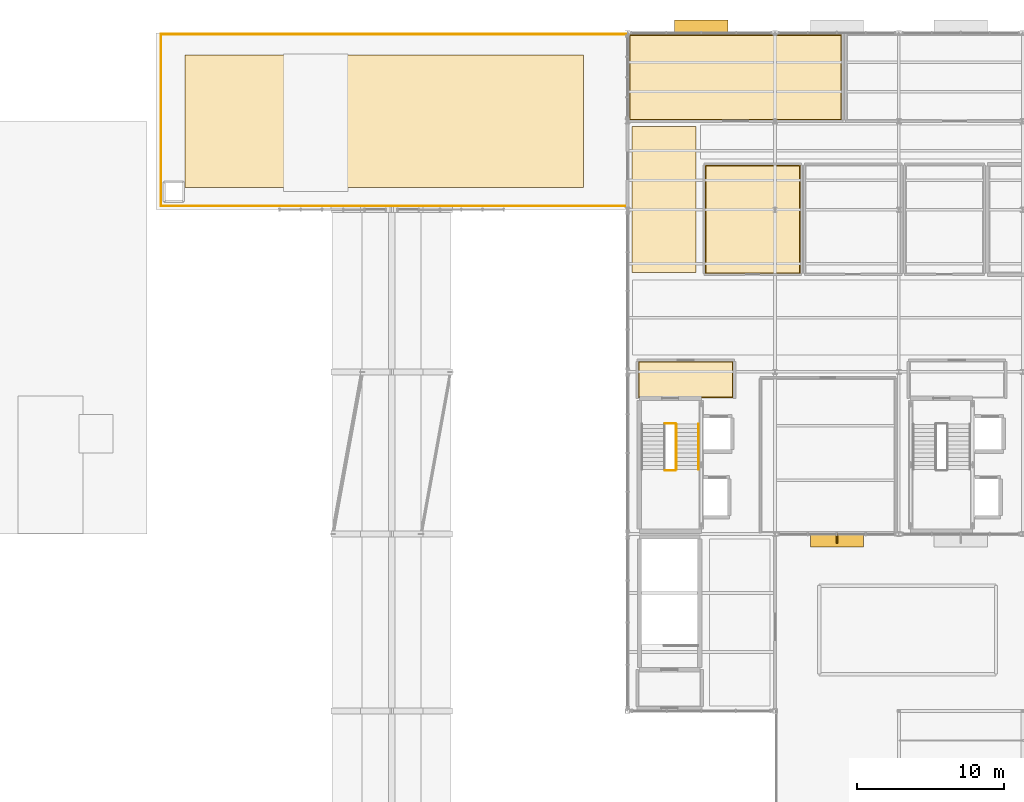
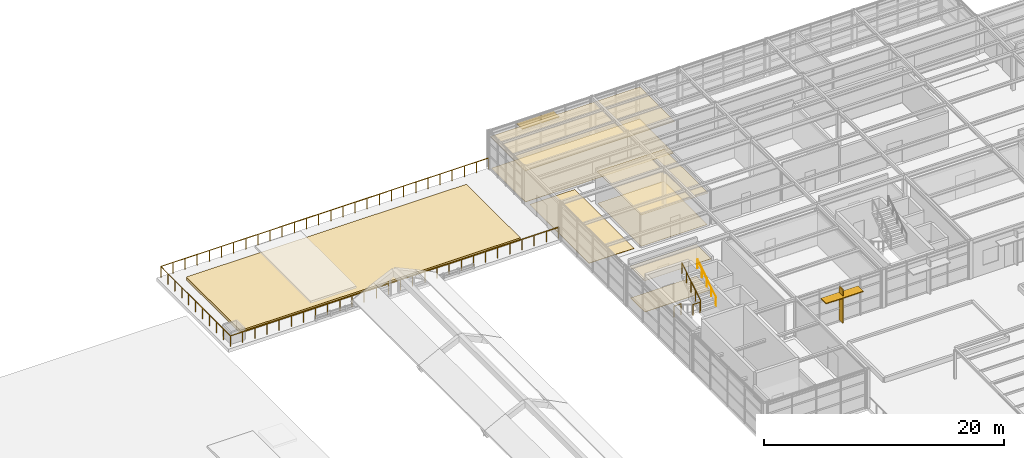
# One storey, part 47 of 49: 8 coverings, 7 railings, 3 shading devices.
"""IFC4 building model written with IfcOpenShell, lengths in metres."""

import ifcopenshell
import ifcopenshell.guid

model = None  # the IFC model being written
_history = None  # IfcOwnerHistory: only IFC2X3 demands one
_inside = {}  # id of a spatial element -> (the spatial element, [elements in it])
_under = {}  # id of a project, library or spatial element -> (it, [spatial elements below it])
_declared = {}  # id of a project -> (the project, [libraries it declares])
_typed = {}  # id of a type object -> (the type object, [elements of that type])
_made_of = {}  # id of a material, layer set ... -> (it, [elements and type objects made of it])


def new_model(schema):
    """Start an empty IFC model of exactly this schema.

    Asked for "IFC4X3", IfcOpenShell would pick the latest addendum, in which some entities
    have other attributes; the version numbers below select the first issue.
    IFC2X3 requires an IfcOwnerHistory on every rooted entity: one is made here for all.
    """
    global model, _history
    if schema == "IFC4X3":
        model = ifcopenshell.file(schema_version=(4, 3, 0, 0))
    else:
        model = ifcopenshell.file(schema=schema)
    _inside.clear()
    _under.clear()
    _declared.clear()
    _typed.clear()
    _made_of.clear()
    _history = None
    if model.schema == "IFC2X3":
        org = make("IfcOrganization", Name="unknown")
        user = make(
            "IfcPersonAndOrganization",
            ThePerson=make("IfcPerson", FamilyName="unknown"),
            TheOrganization=org,
        )
        app = make(
            "IfcApplication",
            ApplicationDeveloper=org,
            Version="unknown",
            ApplicationFullName="unknown",
            ApplicationIdentifier="unknown",
        )
        _history = make(
            "IfcOwnerHistory",
            OwningUser=user,
            OwningApplication=app,
            ChangeAction="ADDED",
            CreationDate=0,
        )
    return model


def make(cls, **values):
    """One entity of the class cls with the attributes given. An attribute that is None is left unset."""
    return model.create_entity(
        cls, **{name: value for name, value in values.items() if value is not None}
    )


def rooted(cls, **values):
    """An entity with a GlobalId (a new one), such as an element, a storey or a relation."""
    return make(cls, GlobalId=ifcopenshell.guid.new(), OwnerHistory=_history, **values)


def si_unit(unit_type, name, prefix=None):
    """IfcSIUnit, for example si_unit("LENGTHUNIT", "METRE", prefix="MILLI")."""
    return make("IfcSIUnit", UnitType=unit_type, Prefix=prefix, Name=name)


def assignment(units):
    """IfcUnitAssignment: the units of a project."""
    return None if units is None else make("IfcUnitAssignment", Units=units)


def point(xyz):
    """IfcCartesianPoint."""
    return None if xyz is None else make("IfcCartesianPoint", Coordinates=xyz)


def direction(xyz):
    """IfcDirection."""
    return None if xyz is None else make("IfcDirection", DirectionRatios=xyz)


def frame(location, z_axis=None, x_axis=None):
    """IfcAxis2Placement3D, a coordinate frame: its origin and axes. An axis left out is left unset."""
    return make(
        "IfcAxis2Placement3D",
        Location=point(location),
        Axis=direction(z_axis),
        RefDirection=direction(x_axis),
    )


def frame_2d(location, x_axis=None):
    """IfcAxis2Placement2D, a coordinate frame in the plane: its origin and x axis."""
    return make(
        "IfcAxis2Placement2D", Location=point(location), RefDirection=direction(x_axis)
    )


def origin():
    """The frame at (0, 0, 0) with its axes left unset."""
    return frame((0.0, 0.0, 0.0))


def origin_2d():
    """The frame at (0, 0) in the plane with its x axis left unset."""
    return frame_2d((0.0, 0.0))


def place(relative_to, where):
    """IfcLocalPlacement: puts the frame where relative to a parent placement (None: the world)."""
    return make(
        "IfcLocalPlacement", PlacementRelTo=relative_to, RelativePlacement=where
    )


def context(
    kind, dimensions, precision=None, world=None, true_north=None, identifier=None
):
    """IfcGeometricRepresentationContext, for example the 3D "Model" context."""
    return make(
        "IfcGeometricRepresentationContext",
        ContextIdentifier=identifier,
        ContextType=kind,
        CoordinateSpaceDimension=dimensions,
        Precision=precision,
        WorldCoordinateSystem=world,
        TrueNorth=true_north,
    )


def subcontext(parent, identifier, kind, view, scale=None):
    """IfcGeometricRepresentationSubContext, for example "Body" below "Model"."""
    return make(
        "IfcGeometricRepresentationSubContext",
        ContextIdentifier=identifier,
        ContextType=kind,
        ParentContext=parent,
        TargetScale=scale,
        TargetView=view,
    )


def project(units=None, contexts=None):
    """IfcProject with its units and contexts."""
    return rooted(
        "IfcProject",
        Name="project",
        RepresentationContexts=contexts,
        UnitsInContext=assignment(units),
    )


def spatial(cls, under=None, at=None, **own):
    """A site, building, storey or space (cls), placed at a placement, below another one or the project."""
    s = rooted(cls, ObjectPlacement=at, **own)
    if under is not None:
        _under.setdefault(under.id(), (under, []))[1].append(s)
    return s


def polyline(points):
    """IfcPolyline through the points."""
    return make("IfcPolyline", Points=[point(p) for p in points])


def profile(cls, at=None, kind="AREA", **sizes):
    """A parametric profile (cls). Its sizes go by their IFC names, for example OverallWidth=200.0."""
    return make(cls, ProfileType=kind, Position=at, **sizes)


def rectangle(**sizes):
    """IfcRectangleProfileDef."""
    return profile("IfcRectangleProfileDef", **sizes)


def circle(**sizes):
    """IfcCircleProfileDef."""
    return profile("IfcCircleProfileDef", **sizes)


def outline(outer, holes=None, kind="AREA"):
    """IfcArbitraryClosedProfileDef: a profile drawn as a closed curve; with holes, ...WithVoids."""
    if holes is None:
        return make("IfcArbitraryClosedProfileDef", ProfileType=kind, OuterCurve=outer)
    return make(
        "IfcArbitraryProfileDefWithVoids",
        ProfileType=kind,
        OuterCurve=outer,
        InnerCurves=holes,
    )


def extrude(swept, where, along, depth):
    """IfcExtrudedAreaSolid: the profile swept, set in the frame where, extruded along a direction by depth."""
    return make(
        "IfcExtrudedAreaSolid",
        SweptArea=swept,
        Position=where,
        ExtrudedDirection=direction(along),
        Depth=depth,
    )


def shape(context_of_items, identifier, shape_type, items):
    """IfcShapeRepresentation: the items that make up one representation, for example the "Body"."""
    return make(
        "IfcShapeRepresentation",
        ContextOfItems=context_of_items,
        RepresentationIdentifier=identifier,
        RepresentationType=shape_type,
        Items=items,
    )


def material(Name=None, Category=None):
    """IfcMaterial."""
    return make("IfcMaterial", Name=Name, Category=Category)


def layer(
    of_material, thickness, ventilated=None, Name=None, Category=None, Priority=None
):
    """IfcMaterialLayer: one layer of a wall or slab, of a material (None: an air gap)."""
    return make(
        "IfcMaterialLayer",
        Material=of_material,
        LayerThickness=thickness,
        IsVentilated=ventilated,
        Name=Name,
        Category=Category,
        Priority=Priority,
    )


def layer_set(layers, Name=None):
    """IfcMaterialLayerSet."""
    return make("IfcMaterialLayerSet", MaterialLayers=layers, LayerSetName=Name)


def made_of(thing, what):
    """Note that an element or type object is made of a material, layer set ...; save() writes the relation."""
    if what is not None:
        _made_of.setdefault(what.id(), (what, []))[1].append(thing)
    return thing


def type_object(cls, material=None, **own):
    """A type object (cls), such as IfcWallType, which elements share."""
    return made_of(rooted(cls, **own), material)


def element(
    cls,
    number,
    at=None,
    inside=None,
    cuts=None,
    type_object=None,
    material=None,
    context=None,
    identifier="Body",
    shape_type=None,
    held_by="IfcProductDefinitionShape",
    body=None,
    shapes=None,
    **own,
):
    """One element of the class cls, such as IfcWall. Its Tag is "e" and its number.

    at: its placement. inside: the storey or other place that contains it. cuts: it is an
    opening in that element (IfcRelVoidsElement). A single representation is given by context,
    identifier, shape_type and body (its items); several are given by shapes. held_by: the class
    of the entity that holds the representations. save() writes the other relations.
    """
    e = rooted(cls, Tag="e%d" % number, ObjectPlacement=at, **own)
    if body is not None:
        shapes = [shape(context, identifier, shape_type, body)]
    if shapes is not None:
        e.Representation = make(held_by, Representations=shapes)
    if inside is not None:
        _inside.setdefault(inside.id(), (inside, []))[1].append(e)
    if cuts is not None:
        rooted(
            "IfcRelVoidsElement", RelatingBuildingElement=cuts, RelatedOpeningElement=e
        )
    if type_object is not None:
        _typed.setdefault(type_object.id(), (type_object, []))[1].append(e)
    return made_of(e, material)


def aggregate(whole, parts):
    """IfcRelAggregates: a whole, such as a stair, and the parts it consists of."""
    return rooted("IfcRelAggregates", RelatingObject=whole, RelatedObjects=parts)


def save(model, path):
    """Write the relations noted so far, then the file.

    IfcRelAggregates (storeys below a building ...), IfcRelContainedInSpatialStructure (elements
    in a storey), IfcRelDefinesByType, IfcRelAssociatesMaterial and IfcRelDeclares: one each for
    every whole, place, type object, material and project.
    """
    for whole, parts in _under.values():
        aggregate(whole, parts)
    for where, things in _inside.values():
        rooted(
            "IfcRelContainedInSpatialStructure",
            RelatedElements=things,
            RelatingStructure=where,
        )
    for kind, things in _typed.values():
        rooted("IfcRelDefinesByType", RelatedObjects=things, RelatingType=kind)
    for what, things in _made_of.values():
        rooted("IfcRelAssociatesMaterial", RelatedObjects=things, RelatingMaterial=what)
    for by, libraries in _declared.values():
        rooted("IfcRelDeclares", RelatingContext=by, RelatedDefinitions=libraries)
    model.write(path)


model = new_model("IFC4")

# Units and contexts
model_context = context("Model", 3, precision=1e-05, world=origin(), true_north=direction((0.0, 1.0)))
body_context = subcontext(model_context, "Body", "Model", "MODEL_VIEW")
ifc_project = project(units=[si_unit("LENGTHUNIT", "METRE"), si_unit("AREAUNIT", "SQUARE_METRE"), si_unit("VOLUMEUNIT", "CUBIC_METRE"), si_unit("PLANEANGLEUNIT", "RADIAN"), si_unit("MASSUNIT", "GRAM", prefix="KILO")], contexts=[model_context])

# Site, building, storey
site_placement = place(None, origin())
site = spatial("IfcSite", under=ifc_project, at=site_placement, CompositionType="ELEMENT")
building_placement = place(site_placement, origin())
building = spatial("IfcBuilding", under=site, at=building_placement, Name="Sitalva Quay Ferry Terminal", CompositionType="ELEMENT")
storey_placement = place(building_placement, frame((0.0, 0.0, 10.199951171875)))
storey = spatial("IfcBuildingStorey", under=building, at=storey_placement, Name="L03", CompositionType="ELEMENT", Elevation=10.199951171875)

# Coverings
ifc_material_1 = material(Name="Perforated Marine Aluminium Acoustic Ceiling", Category="aluminium")
ifc_layer_1 = layer(ifc_material_1, 0.0400390625)
ifc_layer_set_1 = layer_set([ifc_layer_1], Name="Perforated Marine Aluminium Acoustic Ceiling")
covering_type_1 = type_object("IfcCoveringType", Name="Ceiling_AcousticBaffle_40", PredefinedType="CEILING", material=ifc_layer_set_1)
covering_1_placement = place(storey_placement, frame((0.0, 0.0, 3.2099609375)))
element("IfcCovering", 1, at=covering_1_placement, inside=storey, type_object=covering_type_1, Name="Port Authority Boardroom ceiling", PredefinedType="CEILING", context=body_context, shape_type="SweptSolid", body=[
    extrude(outline(polyline([(74.1201171875, 106.08251953125), (88.517578125, 106.08251953125), (88.517578125, 111.8798828125), (74.1201171875, 111.8798828125), (74.1201171875, 106.08251953125)])), origin(), (0.0, 0.0, 1.0), 0.0400390625),
])
ifc_material_2 = material(Name="Moisture-Resistant Acoustic Gypsum Ceiling", Category="gypsum")
ifc_layer_2 = layer(ifc_material_2, 0.02490234375)
ifc_layer_set_2 = layer_set([ifc_layer_2], Name="Moisture-Resistant Acoustic Gypsum Ceiling")
covering_type_2 = type_object("IfcCoveringType", Name="Ceiling_GypsumMoisture_25", PredefinedType="CEILING", material=ifc_layer_set_2)
covering_2_placement = place(storey_placement, frame((0.0, 0.0, 3.22509765625)))
element("IfcCovering", 2, at=covering_2_placement, inside=storey, type_object=covering_type_2, Name="Firefighting & Lift Lobby C1 ceiling", PredefinedType="CEILING", context=body_context, shape_type="SweptSolid", body=[
    extrude(outline(polyline([(74.739990234375, 87.239990234375), (81.159912109375, 87.239990234375), (81.159912109375, 89.7099609375), (74.739990234375, 89.7099609375), (74.739990234375, 87.239990234375)])), origin(), (0.0, 0.0, 1.0), 0.02490234375),
])
covering_3_placement = place(storey_placement, frame((0.0, 0.0, 3.22509765625)))
element("IfcCovering", 3, at=covering_3_placement, inside=storey, type_object=covering_type_2, Name="L03 Male Staff Toilets ceiling", PredefinedType="CEILING", context=body_context, shape_type="SweptSolid", body=[
    extrude(outline(polyline([(79.27001953125, 95.669921875), (85.72998046875, 95.669921875), (85.72998046875, 103.030029296875), (79.27001953125, 103.030029296875), (79.27001953125, 95.669921875)])), origin(), (0.0, 0.0, 1.0), 0.02490234375),
])
ifc_material_3 = material(Name="Planted Roof Garden Soil & Native Monsoon Flora", Category="earth")
ifc_layer_3 = layer(ifc_material_3, 0.300048828125)
ifc_layer_set_3 = layer_set([ifc_layer_3], Name="Planted Roof Garden Soil & Native Monsoon Flora")
covering_type_3 = type_object("IfcCoveringType", Name="Covering_PlantedParterre_300", PredefinedType="FLOORING", material=ifc_layer_set_3)
covering_4_placement = place(storey_placement, origin())
element("IfcCovering", 4, at=covering_4_placement, inside=storey, type_object=covering_type_3, Name="Planted terrace garden bed 14", PredefinedType="FLOORING", context=body_context, shape_type="SweptSolid", body=[
    extrude(outline(polyline([(44.0, 101.5), (71.0, 101.5), (71.0, 110.5), (44.0, 110.5), (44.0, 101.5)])), origin(), (0.0, 0.0, 1.0), 0.300048828125),
])
ifc_material_4 = material(Name="Anti-Slip Porcelain Tile", Category="ceramic")
ifc_layer_4 = layer(ifc_material_4, 0.02001953125)
ifc_layer_set_4 = layer_set([ifc_layer_4], Name="Anti-Slip Porcelain Tile")
covering_type_4 = type_object("IfcCoveringType", Name="Finish_CeramicWet_20", PredefinedType="FLOORING", material=ifc_layer_set_4)
covering_5_placement = place(storey_placement, origin())
element("IfcCovering", 5, at=covering_5_placement, inside=storey, type_object=covering_type_4, Name="L03 Male Staff Toilets floor finish", PredefinedType="FLOORING", context=body_context, shape_type="SweptSolid", body=[
    extrude(outline(polyline([(79.320068359375, 95.719970703125), (85.679931640625, 95.719970703125), (85.679931640625, 102.97998046875), (79.320068359375, 102.97998046875), (79.320068359375, 95.719970703125)])), origin(), (0.0, 0.0, 1.0), 0.02001953125),
])
ifc_material_5 = material(Name="Flamed Non-Slip Granite Paving", Category="masonry")
ifc_layer_5 = layer(ifc_material_5, 0.034912109375)
ifc_layer_set_5 = layer_set([ifc_layer_5], Name="Flamed Non-Slip Granite Paving")
covering_type_5 = type_object("IfcCoveringType", Name="Finish_Granite_35", PredefinedType="FLOORING", material=ifc_layer_set_5)
covering_6_placement = place(storey_placement, origin())
element("IfcCovering", 6, at=covering_6_placement, inside=storey, type_object=covering_type_5, Name="Firefighting & Lift Lobby C1 floor finish", PredefinedType="FLOORING", context=body_context, shape_type="SweptSolid", body=[
    extrude(outline(polyline([(74.7900390625, 87.2900390625), (81.110107421875, 87.2900390625), (81.110107421875, 89.659912109375), (74.7900390625, 89.659912109375), (74.7900390625, 87.2900390625)])), origin(), (0.0, 0.0, 1.0), 0.03515625),
])
covering_7_placement = place(storey_placement, origin())
element("IfcCovering", 7, at=covering_7_placement, inside=storey, type_object=covering_type_5, Name="West Roof-Garden Access Vestibule flooring", PredefinedType="FLOORING", context=body_context, shape_type="SweptSolid", body=[
    extrude(outline(polyline([(74.300048828125, 95.75), (78.64990234375, 95.75), (78.64990234375, 105.64990234375), (74.300048828125, 105.64990234375), (74.300048828125, 95.75)])), origin(), (0.0, 0.0, 1.0), 0.03515625),
])
ifc_material_6 = material(Name="Polished River-Stone Terrazzo", Category="masonry")
ifc_layer_6 = layer(ifc_material_6, 0.030029296875)
ifc_layer_set_6 = layer_set([ifc_layer_6], Name="Polished River-Stone Terrazzo")
covering_type_6 = type_object("IfcCoveringType", Name="Finish_Terrazzo_30", PredefinedType="FLOORING", material=ifc_layer_set_6)
covering_8_placement = place(storey_placement, origin())
element("IfcCovering", 8, at=covering_8_placement, inside=storey, type_object=covering_type_6, Name="Port Authority Boardroom floor finish", PredefinedType="FLOORING", context=body_context, shape_type="SweptSolid", body=[
    extrude(outline(polyline([(74.169921875, 106.132568359375), (88.467529296875, 106.132568359375), (88.467529296875, 111.830078125), (74.169921875, 111.830078125), (74.169921875, 106.132568359375)])), origin(), (0.0, 0.0, 1.0), 0.030029296875),
])

# Railings
ifc_material_7 = material(Name="Stainless Steel 316L & Laminated Glass", Category="steel")
railing_type_1 = type_object("IfcRailingType", Name="Railing_Balustrade_1120", PredefinedType="BALUSTRADE", material=ifc_material_7)
railing_1_placement = place(storey_placement, frame((73.949951171875, 100.25, 0.0)))
element("IfcRailing", 9, at=railing_1_placement, inside=storey, type_object=railing_type_1, Name="L03 L03 forecourt planted terrace balustrade 039", PredefinedType="BALUSTRADE", context=body_context, shape_type="SweptSolid", body=[
    extrude(circle(Radius=0.02392578125, at=origin_2d()), frame((0.0, 0.0, 1.09619140625), z_axis=(-1.0, 0.0, 0.0), x_axis=(0.0, -1.0, 0.0)), (0.0, 0.0, 1.0), 31.599853515625),
    extrude(circle(Radius=0.02099609375, at=origin_2d()), origin(), (0.0, 0.0, 1.0), 1.072021484375),
    extrude(circle(Radius=0.02099609375, at=origin_2d()), frame((-1.17041015625, 0.0, 0.0)), (0.0, 0.0, 1.0), 1.072021484375),
    extrude(circle(Radius=0.02099609375, at=origin_2d()), frame((-2.3408203125, 0.0, 0.0)), (0.0, 0.0, 1.0), 1.072021484375),
    extrude(circle(Radius=0.02099609375, at=origin_2d()), frame((-3.510986328125, 0.0, 0.0)), (0.0, 0.0, 1.0), 1.072021484375),
    extrude(circle(Radius=0.02099609375, at=origin_2d()), frame((-4.681396484375, 0.0, 0.0)), (0.0, 0.0, 1.0), 1.072021484375),
    extrude(circle(Radius=0.02099609375, at=origin_2d()), frame((-5.851806640625, 0.0, 0.0)), (0.0, 0.0, 1.0), 1.072021484375),
    extrude(circle(Radius=0.02099609375, at=origin_2d()), frame((-7.022216796875, 0.0, 0.0)), (0.0, 0.0, 1.0), 1.072021484375),
    extrude(circle(Radius=0.02099609375, at=origin_2d()), frame((-8.192626953125, 0.0, 0.0)), (0.0, 0.0, 1.0), 1.072021484375),
    extrude(circle(Radius=0.02099609375, at=origin_2d()), frame((-9.363037109375, 0.0, 0.0)), (0.0, 0.0, 1.0), 1.072021484375),
    extrude(circle(Radius=0.02099609375, at=origin_2d()), frame((-10.533203125, 0.0, 0.0)), (0.0, 0.0, 1.0), 1.072021484375),
    extrude(circle(Radius=0.02099609375, at=origin_2d()), frame((-11.70361328125, 0.0, 0.0)), (0.0, 0.0, 1.0), 1.072021484375),
    extrude(circle(Radius=0.02099609375, at=origin_2d()), frame((-12.8740234375, 0.0, 0.0)), (0.0, 0.0, 1.0), 1.072021484375),
    extrude(circle(Radius=0.02099609375, at=origin_2d()), frame((-14.04443359375, 0.0, 0.0)), (0.0, 0.0, 1.0), 1.072021484375),
    extrude(circle(Radius=0.02099609375, at=origin_2d()), frame((-15.21484375, 0.0, 0.0)), (0.0, 0.0, 1.0), 1.072021484375),
    extrude(circle(Radius=0.02099609375, at=origin_2d()), frame((-16.385009765625, 0.0, 0.0)), (0.0, 0.0, 1.0), 1.072021484375),
    extrude(circle(Radius=0.02099609375, at=origin_2d()), frame((-17.555419921875, 0.0, 0.0)), (0.0, 0.0, 1.0), 1.072021484375),
    extrude(circle(Radius=0.02099609375, at=origin_2d()), frame((-18.725830078125, 0.0, 0.0)), (0.0, 0.0, 1.0), 1.072021484375),
    extrude(circle(Radius=0.02099609375, at=origin_2d()), frame((-19.896240234375, 0.0, 0.0)), (0.0, 0.0, 1.0), 1.072021484375),
    extrude(circle(Radius=0.02099609375, at=origin_2d()), frame((-21.066650390625, 0.0, 0.0)), (0.0, 0.0, 1.0), 1.072021484375),
    extrude(circle(Radius=0.02099609375, at=origin_2d()), frame((-22.23681640625, 0.0, 0.0)), (0.0, 0.0, 1.0), 1.072021484375),
    extrude(circle(Radius=0.02099609375, at=origin_2d()), frame((-23.4072265625, 0.0, 0.0)), (0.0, 0.0, 1.0), 1.072021484375),
    extrude(circle(Radius=0.02099609375, at=origin_2d()), frame((-24.57763671875, 0.0, 0.0)), (0.0, 0.0, 1.0), 1.072021484375),
    extrude(circle(Radius=0.02099609375, at=origin_2d()), frame((-25.748046875, 0.0, 0.0)), (0.0, 0.0, 1.0), 1.072021484375),
    extrude(circle(Radius=0.02099609375, at=origin_2d()), frame((-26.91845703125, 0.0, 0.0)), (0.0, 0.0, 1.0), 1.072021484375),
    extrude(circle(Radius=0.02099609375, at=origin_2d()), frame((-28.0888671875, 0.0, 0.0)), (0.0, 0.0, 1.0), 1.072021484375),
    extrude(circle(Radius=0.02099609375, at=origin_2d()), frame((-29.259033203125, 0.0, 0.0)), (0.0, 0.0, 1.0), 1.072021484375),
    extrude(circle(Radius=0.02099609375, at=origin_2d()), frame((-30.429443359375, 0.0, 0.0)), (0.0, 0.0, 1.0), 1.072021484375),
    extrude(circle(Radius=0.02099609375, at=origin_2d()), frame((-31.599853515625, 0.0, 0.0)), (0.0, 0.0, 1.0), 1.072021484375),
])
railing_2_placement = place(storey_placement, frame((42.35009765625, 100.25, 0.0)))
element("IfcRailing", 10, at=railing_2_placement, inside=storey, type_object=railing_type_1, Name="L03 L03 forecourt planted terrace balustrade 040", PredefinedType="BALUSTRADE", context=body_context, shape_type="SweptSolid", body=[
    extrude(circle(Radius=0.02392578125, at=origin_2d()), frame((0.0, 0.0, 1.09619140625), z_axis=(0.0, 1.0, 0.0), x_axis=(-1.0, 0.0, 0.0)), (0.0, 0.0, 1.0), 11.64990234375),
    extrude(circle(Radius=0.02099609375, at=origin_2d()), origin(), (0.0, 0.0, 1.0), 1.072021484375),
    extrude(circle(Radius=0.02099609375, at=origin_2d()), frame((0.0, 1.1650390625, 0.0)), (0.0, 0.0, 1.0), 1.072021484375),
    extrude(circle(Radius=0.02099609375, at=origin_2d()), frame((0.0, 2.330078125, 0.0)), (0.0, 0.0, 1.0), 1.072021484375),
    extrude(circle(Radius=0.02099609375, at=origin_2d()), frame((0.0, 3.494873046875, 0.0)), (0.0, 0.0, 1.0), 1.072021484375),
    extrude(circle(Radius=0.02099609375, at=origin_2d()), frame((0.0, 4.659912109375, 0.0)), (0.0, 0.0, 1.0), 1.072021484375),
    extrude(circle(Radius=0.02099609375, at=origin_2d()), frame((0.0, 5.824951171875, 0.0)), (0.0, 0.0, 1.0), 1.072021484375),
    extrude(circle(Radius=0.02099609375, at=origin_2d()), frame((0.0, 6.989990234375, 0.0)), (0.0, 0.0, 1.0), 1.072021484375),
    extrude(circle(Radius=0.02099609375, at=origin_2d()), frame((0.0, 8.155029296875, 0.0)), (0.0, 0.0, 1.0), 1.072021484375),
    extrude(circle(Radius=0.02099609375, at=origin_2d()), frame((0.0, 9.31982421875, 0.0)), (0.0, 0.0, 1.0), 1.072021484375),
    extrude(circle(Radius=0.02099609375, at=origin_2d()), frame((0.0, 10.48486328125, 0.0)), (0.0, 0.0, 1.0), 1.072021484375),
    extrude(circle(Radius=0.02099609375, at=origin_2d()), frame((0.0, 11.64990234375, 0.0)), (0.0, 0.0, 1.0), 1.072021484375),
])
railing_3_placement = place(storey_placement, frame((42.35009765625, 111.89990234375, 0.0)))
element("IfcRailing", 11, at=railing_3_placement, inside=storey, type_object=railing_type_1, Name="L03 L03 forecourt planted terrace balustrade 041", PredefinedType="BALUSTRADE", context=body_context, shape_type="SweptSolid", body=[
    extrude(circle(Radius=0.02392578125, at=origin_2d()), frame((0.0, 0.0, 1.09619140625), z_axis=(1.0, 0.0, 0.0), x_axis=(0.0, 1.0, 0.0)), (0.0, 0.0, 1.0), 31.599853515625),
    extrude(circle(Radius=0.02099609375, at=origin_2d()), origin(), (0.0, 0.0, 1.0), 1.072021484375),
    extrude(circle(Radius=0.02099609375, at=origin_2d()), frame((1.17041015625, 0.0, 0.0)), (0.0, 0.0, 1.0), 1.072021484375),
    extrude(circle(Radius=0.02099609375, at=origin_2d()), frame((2.3408203125, 0.0, 0.0)), (0.0, 0.0, 1.0), 1.072021484375),
    extrude(circle(Radius=0.02099609375, at=origin_2d()), frame((3.510986328125, 0.0, 0.0)), (0.0, 0.0, 1.0), 1.072021484375),
    extrude(circle(Radius=0.02099609375, at=origin_2d()), frame((4.681396484375, 0.0, 0.0)), (0.0, 0.0, 1.0), 1.072021484375),
    extrude(circle(Radius=0.02099609375, at=origin_2d()), frame((5.851806640625, 0.0, 0.0)), (0.0, 0.0, 1.0), 1.072021484375),
    extrude(circle(Radius=0.02099609375, at=origin_2d()), frame((7.022216796875, 0.0, 0.0)), (0.0, 0.0, 1.0), 1.072021484375),
    extrude(circle(Radius=0.02099609375, at=origin_2d()), frame((8.192626953125, 0.0, 0.0)), (0.0, 0.0, 1.0), 1.072021484375),
    extrude(circle(Radius=0.02099609375, at=origin_2d()), frame((9.363037109375, 0.0, 0.0)), (0.0, 0.0, 1.0), 1.072021484375),
    extrude(circle(Radius=0.02099609375, at=origin_2d()), frame((10.533203125, 0.0, 0.0)), (0.0, 0.0, 1.0), 1.072021484375),
    extrude(circle(Radius=0.02099609375, at=origin_2d()), frame((11.70361328125, 0.0, 0.0)), (0.0, 0.0, 1.0), 1.072021484375),
    extrude(circle(Radius=0.02099609375, at=origin_2d()), frame((12.8740234375, 0.0, 0.0)), (0.0, 0.0, 1.0), 1.072021484375),
    extrude(circle(Radius=0.02099609375, at=origin_2d()), frame((14.04443359375, 0.0, 0.0)), (0.0, 0.0, 1.0), 1.072021484375),
    extrude(circle(Radius=0.02099609375, at=origin_2d()), frame((15.21484375, 0.0, 0.0)), (0.0, 0.0, 1.0), 1.072021484375),
    extrude(circle(Radius=0.02099609375, at=origin_2d()), frame((16.385009765625, 0.0, 0.0)), (0.0, 0.0, 1.0), 1.072021484375),
    extrude(circle(Radius=0.02099609375, at=origin_2d()), frame((17.555419921875, 0.0, 0.0)), (0.0, 0.0, 1.0), 1.072021484375),
    extrude(circle(Radius=0.02099609375, at=origin_2d()), frame((18.725830078125, 0.0, 0.0)), (0.0, 0.0, 1.0), 1.072021484375),
    extrude(circle(Radius=0.02099609375, at=origin_2d()), frame((19.896240234375, 0.0, 0.0)), (0.0, 0.0, 1.0), 1.072021484375),
    extrude(circle(Radius=0.02099609375, at=origin_2d()), frame((21.066650390625, 0.0, 0.0)), (0.0, 0.0, 1.0), 1.072021484375),
    extrude(circle(Radius=0.02099609375, at=origin_2d()), frame((22.23681640625, 0.0, 0.0)), (0.0, 0.0, 1.0), 1.072021484375),
    extrude(circle(Radius=0.02099609375, at=origin_2d()), frame((23.4072265625, 0.0, 0.0)), (0.0, 0.0, 1.0), 1.072021484375),
    extrude(circle(Radius=0.02099609375, at=origin_2d()), frame((24.57763671875, 0.0, 0.0)), (0.0, 0.0, 1.0), 1.072021484375),
    extrude(circle(Radius=0.02099609375, at=origin_2d()), frame((25.748046875, 0.0, 0.0)), (0.0, 0.0, 1.0), 1.072021484375),
    extrude(circle(Radius=0.02099609375, at=origin_2d()), frame((26.91845703125, 0.0, 0.0)), (0.0, 0.0, 1.0), 1.072021484375),
    extrude(circle(Radius=0.02099609375, at=origin_2d()), frame((28.0888671875, 0.0, 0.0)), (0.0, 0.0, 1.0), 1.072021484375),
    extrude(circle(Radius=0.02099609375, at=origin_2d()), frame((29.259033203125, 0.0, 0.0)), (0.0, 0.0, 1.0), 1.072021484375),
    extrude(circle(Radius=0.02099609375, at=origin_2d()), frame((30.429443359375, 0.0, 0.0)), (0.0, 0.0, 1.0), 1.072021484375),
    extrude(circle(Radius=0.02099609375, at=origin_2d()), frame((31.599853515625, 0.0, 0.0)), (0.0, 0.0, 1.0), 1.072021484375),
])
ifc_material_8 = material(Name="Galvanised Steel S275JR", Category="steel")
railing_type_2 = type_object("IfcRailingType", Name="Railing_Guard_1100", PredefinedType="GUARDRAIL", material=ifc_material_8)
railing_4_placement = place(storey_placement, frame((76.550048828125, 82.320068359375, 2.10009765625)))
element("IfcRailing", 12, at=railing_4_placement, inside=storey, type_object=railing_type_2, Name="L03 ST-01 stair guard 2", PredefinedType="GUARDRAIL", context=body_context, shape_type="SweptSolid", body=[
    extrude(circle(Radius=0.02392578125, at=origin_2d()), frame((0.0, 0.0, 1.076171875), z_axis=(1.0, 0.0, 0.0), x_axis=(0.0, 1.0, 0.0)), (0.0, 0.0, 1.0), 0.699951171875),
    extrude(circle(Radius=0.02099609375, at=origin_2d()), origin(), (0.0, 0.0, 1.0), 1.052001953125),
    extrude(circle(Radius=0.02099609375, at=origin_2d()), frame((0.699951171875, 0.0, 0.0)), (0.0, 0.0, 1.0), 1.052001953125),
])
railing_5_placement = place(storey_placement, frame((77.300048828125, 82.3701171875, 2.275146484375)))
element("IfcRailing", 13, at=railing_5_placement, inside=storey, type_object=railing_type_2, Name="L03 ST-01 stair guard 3", PredefinedType="GUARDRAIL", context=body_context, shape_type="SweptSolid", body=[
    extrude(circle(Radius=0.02392578125, at=origin_2d()), frame((0.0, 0.0, 1.076171875), z_axis=(0.0, 0.848009633417, 0.529980812513), x_axis=(-1.0, 0.0, 0.0)), (0.0, 0.0, 1.0), 3.6318359375),
    extrude(circle(Radius=0.02099609375, at=origin_2d()), origin(), (0.0, 0.0, 1.0), 1.052001953125),
    extrude(circle(Radius=0.02099609375, at=origin_2d()), frame((0.0, 0.77001953125, 0.481201171875)), (0.0, 0.0, 1.0), 1.052001953125),
    extrude(circle(Radius=0.02099609375, at=origin_2d()), frame((0.0, 1.5400390625, 0.96240234375)), (0.0, 0.0, 1.0), 1.052001953125),
    extrude(circle(Radius=0.02099609375, at=origin_2d()), frame((0.0, 2.309814453125, 1.443603515625)), (0.0, 0.0, 1.0), 1.052001953125),
    extrude(circle(Radius=0.02099609375, at=origin_2d()), frame((0.0, 3.079833984375, 1.9248046875)), (0.0, 0.0, 1.0), 1.052001953125),
])
railing_6_placement = place(storey_placement, frame((76.550048828125, 85.5, 0.0)))
element("IfcRailing", 14, at=railing_6_placement, inside=storey, type_object=railing_type_2, Name="L03 ST-01 stair guard 4", PredefinedType="GUARDRAIL", context=body_context, shape_type="SweptSolid", body=[
    extrude(circle(Radius=0.02392578125, at=origin_2d()), frame((0.0, 0.0, 1.076171875), z_axis=(1.0, 0.0, 0.0), x_axis=(0.0, 1.0, 0.0)), (0.0, 0.0, 1.0), 0.699951171875),
    extrude(circle(Radius=0.02099609375, at=origin_2d()), origin(), (0.0, 0.0, 1.0), 1.052001953125),
    extrude(circle(Radius=0.02099609375, at=origin_2d()), frame((0.699951171875, 0.0, 0.0)), (0.0, 0.0, 1.0), 1.052001953125),
])
ifc_material_9 = material(Name="Stainless Steel 316L", Category="steel")
railing_type_3 = type_object("IfcRailingType", Name="Railing_Handrail_900", PredefinedType="HANDRAIL", material=ifc_material_9)
railing_7_placement = place(storey_placement, frame((78.820068359375, 82.3701171875, 2.275146484375)))
element("IfcRailing", 15, at=railing_7_placement, inside=storey, type_object=railing_type_3, Name="L03 ST-01 stair handrail 2", PredefinedType="HANDRAIL", context=body_context, shape_type="SweptSolid", body=[
    extrude(circle(Radius=0.02392578125, at=origin_2d()), frame((0.0, 0.0, 0.8759765625), z_axis=(0.0, 0.848009633417, 0.529980812513), x_axis=(-1.0, 0.0, 0.0)), (0.0, 0.0, 1.0), 3.6318359375),
    extrude(circle(Radius=0.02099609375, at=origin_2d()), origin(), (0.0, 0.0, 1.0), 0.851806640625),
    extrude(circle(Radius=0.02099609375, at=origin_2d()), frame((0.0, 0.77001953125, 0.481201171875)), (0.0, 0.0, 1.0), 0.851806640625),
    extrude(circle(Radius=0.02099609375, at=origin_2d()), frame((0.0, 1.5400390625, 0.96240234375)), (0.0, 0.0, 1.0), 0.851806640625),
    extrude(circle(Radius=0.02099609375, at=origin_2d()), frame((0.0, 2.309814453125, 1.443603515625)), (0.0, 0.0, 1.0), 0.851806640625),
    extrude(circle(Radius=0.02099609375, at=origin_2d()), frame((0.0, 3.079833984375, 1.9248046875)), (0.0, 0.0, 1.0), 0.851806640625),
])

# Shading devices
ifc_material_10 = material(Name="Anodised Marine Aluminium 6063-T6", Category="aluminium")
shading_device_type_1 = type_object("IfcShadingDeviceType", Name="Shade_HorizontalLouvre_900", PredefinedType="USERDEFINED", material=ifc_material_10)
for number, where, z_axis, x_axis, name in (
    (16, (88.199951171875, 77.580078125, 2.907470703125), (0.0, 0.0, 1.0), (1.0, 0.0, 0.0), "Monsoon sunshade canopy BS-085"),
    (17, (79.0, 112.419921875, 2.8076171875), (0.0, 0.0, 1.0), (1.0, 0.0, 0.0), "Monsoon sunshade canopy BS-096"),
):
    element("IfcShadingDevice", number, at=place(storey_placement, frame(where, z_axis=z_axis, x_axis=x_axis)), inside=storey, type_object=shading_device_type_1, Name=name, ObjectType="SUNSHADE", PredefinedType="USERDEFINED", context=body_context, shape_type="SweptSolid", body=[
        extrude(rectangle(XDim=3.60009765625, YDim=0.89990234375, at=origin_2d()), origin(), (0.0, 0.0, 1.0), 0.0849609375),
    ])
ifc_material_11 = material(Name="Anodised Marine Aluminium 6063-T6", Category="aluminium")
shading_device_type_2 = type_object("IfcShadingDeviceType", Name="Shade_VerticalFin_650", PredefinedType="JALOUSIE", material=ifc_material_11)
shading_device_placement = place(storey_placement, frame((88.199951171875, 77.705078125, 0.2001953125), z_axis=(0.0, 0.0, 1.0), x_axis=(1.0, 0.0, 0.0)))
element("IfcShadingDevice", 18, at=shading_device_placement, inside=storey, type_object=shading_device_type_2, Name="Vertical monsoon fin BS-086", PredefinedType="JALOUSIE", context=body_context, shape_type="SweptSolid", body=[
    extrude(rectangle(XDim=0.090087890625, YDim=0.64990234375, at=origin_2d()), origin(), (0.0, 0.0, 1.0), 3.39990234375),
])

save(model, "model.ifc")
